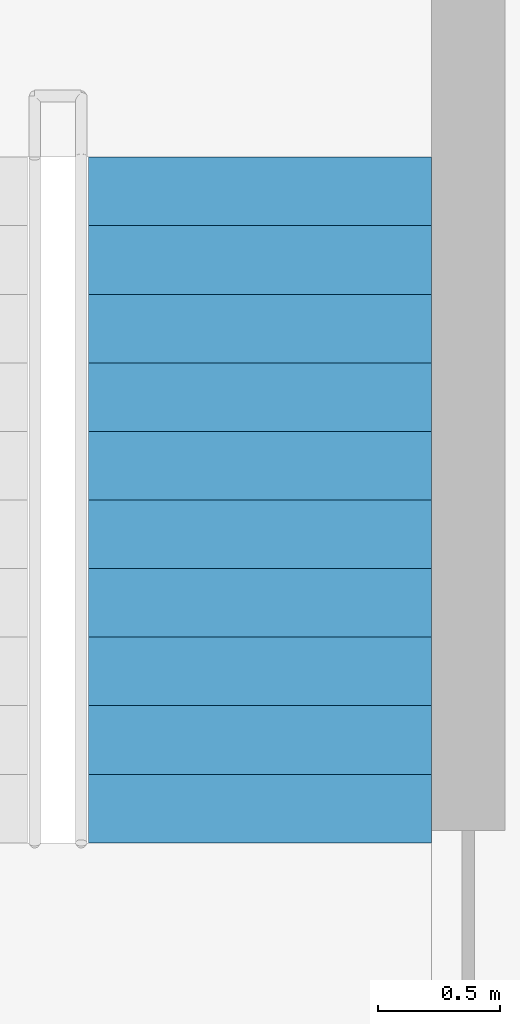
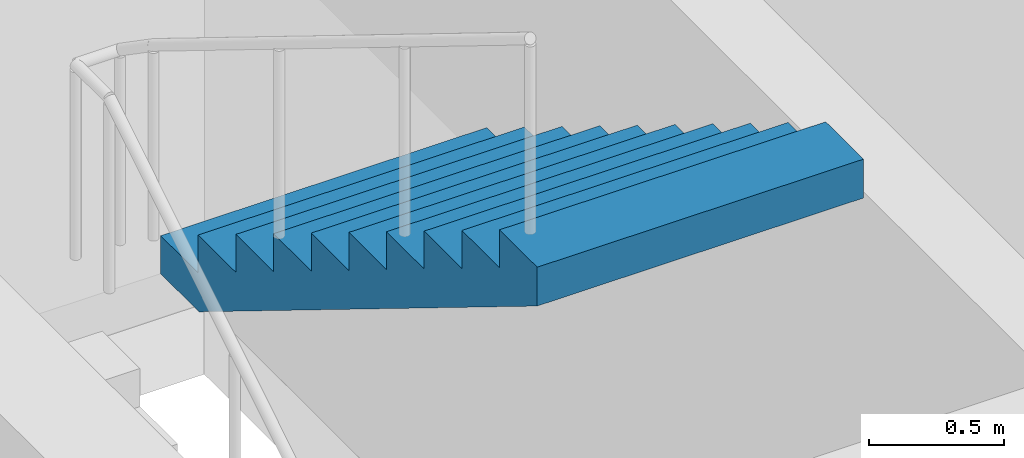
# One storey, part 13 of 15: 1 stair flight, 1 element without a shape of its own.
"""IFC4 building model written with IfcOpenShell, lengths in metres."""

from ifc_helpers import new_model, si_unit, direction, frame, origin, place, context, subcontext, project, spatial, polyline, outline, extrude, material, layer, layer_set, type_object, element, aggregate, save


model = new_model("IFC4")

# Units and contexts
model_context = context("Model", 3, precision=1e-05, world=origin(), true_north=direction((0.0, 1.0)))
body_context = subcontext(model_context, "Body", "Model", "MODEL_VIEW")
ifc_project = project(units=[si_unit("LENGTHUNIT", "METRE"), si_unit("AREAUNIT", "SQUARE_METRE"), si_unit("VOLUMEUNIT", "CUBIC_METRE"), si_unit("PLANEANGLEUNIT", "RADIAN"), si_unit("MASSUNIT", "GRAM", prefix="KILO")], contexts=[model_context])

# Site, building, storey
site_placement = place(None, origin())
site = spatial("IfcSite", under=ifc_project, at=site_placement, CompositionType="ELEMENT")
building_placement = place(site_placement, origin())
building = spatial("IfcBuilding", under=site, at=building_placement, Name="Torre Brocal", CompositionType="ELEMENT")
storey_placement = place(building_placement, frame((0.0, 0.0, 101.39990234375)))
storey = spatial("IfcBuildingStorey", under=building, at=storey_placement, Name="L23", CompositionType="ELEMENT", Elevation=101.39990234375)

# Stair, stair flight
ifc_material_1 = material(Name="Concrete C50", Category="concrete")
stair_type = type_object("IfcStairType", Name="EXIT STAIR", PredefinedType="HALF_TURN_STAIR", material=ifc_material_1)
stair_placement = place(storey_placement, origin())
stair = element("IfcStair", 1, at=stair_placement, inside=storey, type_object=stair_type, Name="EXIT STAIR ST1", PredefinedType="HALF_TURN_STAIR")
ifc_material_2 = material(Name="Concrete C50", Category="concrete")
ifc_layer = layer(ifc_material_2, 0.14990234375)
ifc_layer_set = layer_set([ifc_layer], Name="Concrete C50")
stair_flight_type = type_object("IfcStairFlightType", Name="STAIR FLIGHT", PredefinedType="STRAIGHT", material=ifc_layer_set)
stair_flight_placement = place(storey_placement, frame((90.699951171875, 80.5, 1.900146484375), z_axis=(0.0, 0.0, 1.0), x_axis=(0.0, -1.0, 0.0)))
stair_flight = element("IfcStairFlight", 2, at=stair_flight_placement, type_object=stair_flight_type, Name="ST1 flight 2", NumberOfRisers=11, NumberOfTreads=10, PredefinedType="STRAIGHT", RiserHeight=0.172727273, TreadLength=0.28, context=body_context, shape_type="SweptSolid", body=[
    extrude(outline(polyline([(0.0, 0.0), (0.0, 0.172607421875), (0.280029296875, 0.172607421875), (0.280029296875, 0.345458984375), (0.56005859375, 0.345458984375), (0.56005859375, 0.51806640625), (0.840087890625, 0.51806640625), (0.840087890625, 0.69091796875), (1.1201171875, 0.69091796875), (1.1201171875, 0.863525390625), (1.39990234375, 0.863525390625), (1.39990234375, 1.036376953125), (1.679931640625, 1.036376953125), (1.679931640625, 1.208984375), (1.9599609375, 1.208984375), (1.9599609375, 1.3818359375), (2.239990234375, 1.3818359375), (2.239990234375, 1.554443359375), (2.52001953125, 1.554443359375), (2.52001953125, 1.727294921875), (2.800048828125, 1.727294921875), (2.800048828125, 1.89990234375), (2.800048828125, 1.551025390625), (0.285400390625, 0.0), (0.0, 0.0)])), frame((0.0, 0.699951171875, 0.0), z_axis=(0.0, -1.0, 0.0), x_axis=(1.0, 0.0, 0.0)), (0.0, 0.0, 1.0), 1.39990234375),
])
aggregate(stair, [stair_flight])

save(model, "model.ifc")
